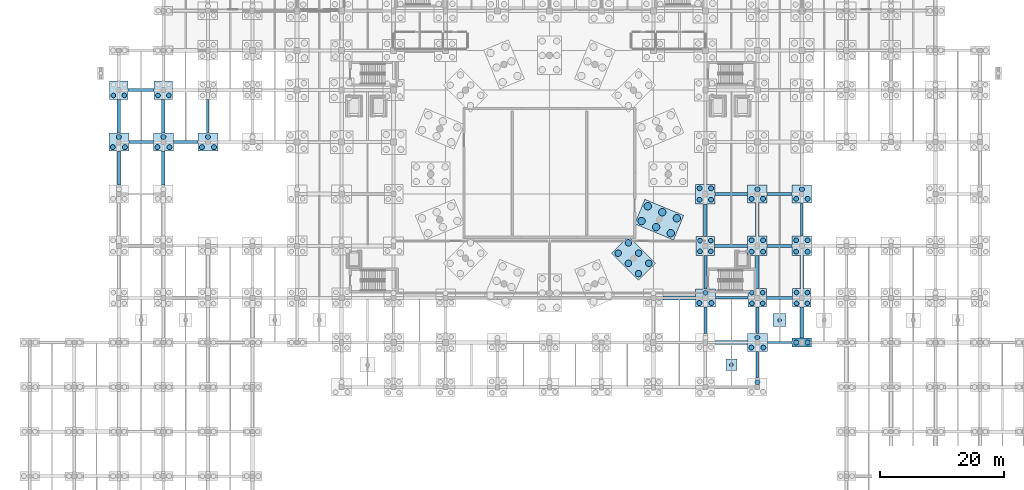
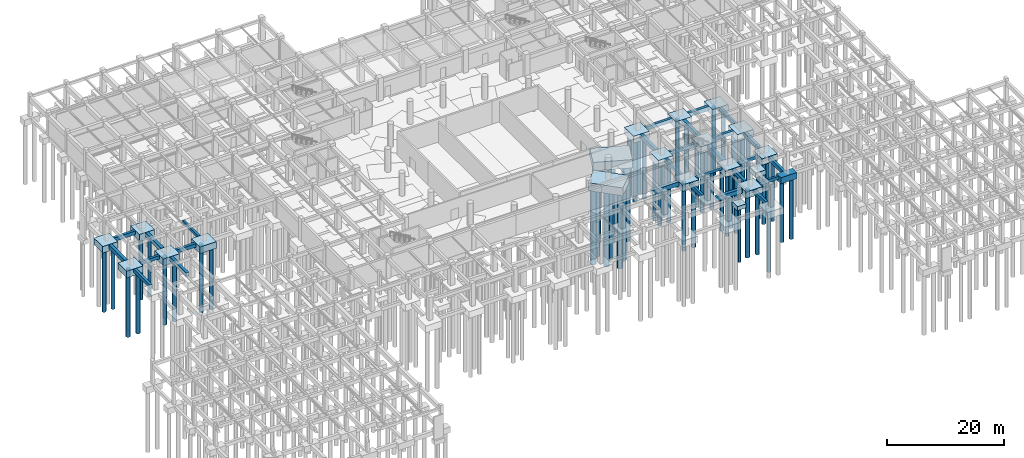
# One storey, part 5 of 44: 66 piles, 47 footings.
"""IFC4 building model written with IfcOpenShell, lengths in metres."""

from ifc_helpers import new_model, si_unit, direction, frame, origin, origin_2d, place, context, subcontext, project, spatial, rectangle, circle, extrude, material, material_profile, profile_set, type_object, element, save


model = new_model("IFC4")

# Units and contexts
model_context = context("Model", 3, precision=1e-05, world=origin(), true_north=direction((0.0, 1.0)))
body_context = subcontext(model_context, "Body", "Model", "MODEL_VIEW")
ifc_project = project(units=[si_unit("LENGTHUNIT", "METRE"), si_unit("AREAUNIT", "SQUARE_METRE"), si_unit("VOLUMEUNIT", "CUBIC_METRE"), si_unit("PLANEANGLEUNIT", "RADIAN"), si_unit("MASSUNIT", "GRAM", prefix="KILO")], contexts=[model_context])

# Site, building, storey
site_placement = place(None, origin())
site = spatial("IfcSite", under=ifc_project, at=site_placement, CompositionType="ELEMENT")
building_placement = place(site_placement, origin())
building = spatial("IfcBuilding", under=site, at=building_placement, Name="Korsvaeld Concert Hall", CompositionType="ELEMENT")
storey_placement = place(building_placement, frame((0.0, 0.0, -4.800048828125)))
storey = spatial("IfcBuildingStorey", under=building, at=storey_placement, Name="B1", CompositionType="ELEMENT", Elevation=-4.800048828125)

# Footings
ifc_material_1 = material(Name="Concrete C35/45", Category="concrete")
ifc_material_profile_1 = material_profile(ifc_material_1, rectangle(XDim=0.39990234375, YDim=0.60009765625, at=origin_2d()), Name="GTB 400x600")
ifc_profile_set_1 = profile_set([ifc_material_profile_1], Name="Concrete C35/45")
footing_type_1 = type_object("IfcFootingType", Name="GTB-400x600", PredefinedType="FOOTING_BEAM", material=ifc_profile_set_1)
footing_1_placement = place(storey_placement, frame((119.22509765625, 36.0, -0.300048828125), z_axis=(1.0, 0.0, 0.0), x_axis=(0.0, 1.0, 0.0)))
element("IfcFooting", 1, at=footing_1_placement, inside=storey, type_object=footing_type_1, Name="Ground tie beam 16-17/F", PredefinedType="FOOTING_BEAM", context=body_context, shape_type="SweptSolid", body=[
    extrude(rectangle(XDim=0.39990234375, YDim=0.60009765625, at=origin_2d()), origin(), (0.0, 0.0, 1.0), 4.0),
])
footing_2_placement = place(storey_placement, frame((110.824951171875, 43.199951171875, -0.300048828125), z_axis=(1.0, 0.0, 0.0), x_axis=(0.0, 1.0, 0.0)))
element("IfcFooting", 2, at=footing_2_placement, inside=storey, type_object=footing_type_1, Name="Ground tie beam 15-16/G", PredefinedType="FOOTING_BEAM", context=body_context, shape_type="SweptSolid", body=[
    extrude(rectangle(XDim=0.39990234375, YDim=0.60009765625, at=origin_2d()), origin(), (0.0, 0.0, 1.0), 5.275146484375),
])
footing_3_placement = place(storey_placement, frame((28.800048828125, 69.875, -0.300048828125), z_axis=(0.0, 1.0, 0.0), x_axis=(-1.0, 0.0, 0.0)))
element("IfcFooting", 3, at=footing_3_placement, inside=storey, type_object=footing_type_1, Name="Ground tie beam 5/K-L", PredefinedType="FOOTING_BEAM", context=body_context, shape_type="SweptSolid", body=[
    extrude(rectangle(XDim=0.39990234375, YDim=0.60009765625, at=origin_2d()), origin(), (0.0, 0.0, 1.0), 5.425048828125),
])
footing_4_placement = place(storey_placement, frame((124.800048828125, 53.175048828125, -0.300048828125), z_axis=(0.0, 1.0, 0.0), x_axis=(-1.0, 0.0, 0.0)))
element("IfcFooting", 4, at=footing_4_placement, inside=storey, type_object=footing_type_1, Name="Ground tie beam 17/H-J", PredefinedType="FOOTING_BEAM", context=body_context, shape_type="SweptSolid", body=[
    extrude(rectangle(XDim=0.39990234375, YDim=0.60009765625, at=origin_2d()), origin(), (0.0, 0.0, 1.0), 5.39990234375),
])
ifc_material_profile_2 = material_profile(ifc_material_1, rectangle(XDim=0.449951171875, YDim=0.699951171875, at=origin_2d()), Name="GTB 450x700")
ifc_profile_set_2 = profile_set([ifc_material_profile_2], Name="Concrete C35/45")
footing_type_2 = type_object("IfcFootingType", Name="GTB-450x700", PredefinedType="FOOTING_BEAM", material=ifc_profile_set_2)
footing_5_placement = place(storey_placement, frame((119.10009765625, 43.199951171875, -0.349853515625), z_axis=(1.0, 0.0, 0.0), x_axis=(0.0, 1.0, 0.0)))
element("IfcFooting", 5, at=footing_5_placement, inside=storey, type_object=footing_type_2, Name="Ground tie beam 16-17/G", PredefinedType="FOOTING_BEAM", context=body_context, shape_type="SweptSolid", body=[
    extrude(rectangle(XDim=0.449951171875, YDim=0.699951171875, at=origin_2d()), origin(), (0.0, 0.0, 1.0), 4.199951171875),
])
footing_6_placement = place(storey_placement, frame((110.699951171875, 51.60009765625, -0.349853515625), z_axis=(1.0, 0.0, 0.0), x_axis=(0.0, 1.0, 0.0)))
element("IfcFooting", 6, at=footing_6_placement, inside=storey, type_object=footing_type_2, Name="Ground tie beam 15-16/H", PredefinedType="FOOTING_BEAM", context=body_context, shape_type="SweptSolid", body=[
    extrude(rectangle(XDim=0.449951171875, YDim=0.699951171875, at=origin_2d()), origin(), (0.0, 0.0, 1.0), 5.324951171875),
])
footing_7_placement = place(storey_placement, frame((16.02490234375, 68.39990234375, -0.349853515625), z_axis=(1.0, 0.0, 0.0), x_axis=(0.0, 1.0, 0.0)))
element("IfcFooting", 7, at=footing_7_placement, inside=storey, type_object=footing_type_2, Name="Ground tie beam 3-4/K", PredefinedType="FOOTING_BEAM", context=body_context, shape_type="SweptSolid", body=[
    extrude(rectangle(XDim=0.449951171875, YDim=0.699951171875, at=origin_2d()), origin(), (0.0, 0.0, 1.0), 3.9501953125),
])
footing_8_placement = place(storey_placement, frame((109.199951171875, 37.425048828125, -0.349853515625), z_axis=(0.0, 1.0, 0.0), x_axis=(-1.0, 0.0, 0.0)))
element("IfcFooting", 8, at=footing_8_placement, inside=storey, type_object=footing_type_2, Name="Ground tie beam 15/F-G", PredefinedType="FOOTING_BEAM", context=body_context, shape_type="SweptSolid", body=[
    extrude(rectangle(XDim=0.449951171875, YDim=0.699951171875, at=origin_2d()), origin(), (0.0, 0.0, 1.0), 4.300048828125),
])
footing_9_placement = place(storey_placement, frame((117.60009765625, 30.22509765625, -0.349853515625), z_axis=(0.0, 1.0, 0.0), x_axis=(-1.0, 0.0, 0.0)))
element("IfcFooting", 9, at=footing_9_placement, inside=storey, type_object=footing_type_2, Name="Ground tie beam 16/E-F", PredefinedType="FOOTING_BEAM", context=body_context, shape_type="SweptSolid", body=[
    extrude(rectangle(XDim=0.449951171875, YDim=0.699951171875, at=origin_2d()), origin(), (0.0, 0.0, 1.0), 4.2998046875),
])
ifc_material_profile_3 = material_profile(ifc_material_1, rectangle(XDim=0.5, YDim=0.75, at=origin_2d()), Name="GTB 500x750")
ifc_profile_set_3 = profile_set([ifc_material_profile_3], Name="Concrete C35/45")
footing_type_3 = type_object("IfcFootingType", Name="GTB-500x750", PredefinedType="FOOTING_BEAM", material=ifc_profile_set_3)
footing_10_placement = place(storey_placement, frame((119.175048828125, 51.60009765625, -0.375), z_axis=(1.0, 0.0, 0.0), x_axis=(0.0, 1.0, 0.0)))
element("IfcFooting", 10, at=footing_10_placement, inside=storey, type_object=footing_type_3, Name="Ground tie beam 16-17/H", PredefinedType="FOOTING_BEAM", context=body_context, shape_type="SweptSolid", body=[
    extrude(rectangle(XDim=0.5, YDim=0.75, at=origin_2d()), origin(), (0.0, 0.0, 1.0), 4.050048828125),
])
footing_11_placement = place(storey_placement, frame((110.77490234375, 60.0, -0.375), z_axis=(1.0, 0.0, 0.0), x_axis=(0.0, 1.0, 0.0)))
element("IfcFooting", 11, at=footing_11_placement, inside=storey, type_object=footing_type_3, Name="Ground tie beam 15-16/J", PredefinedType="FOOTING_BEAM", context=body_context, shape_type="SweptSolid", body=[
    extrude(rectangle(XDim=0.5, YDim=0.75, at=origin_2d()), origin(), (0.0, 0.0, 1.0), 5.25),
])
footing_12_placement = place(storey_placement, frame((23.22509765625, 68.39990234375, -0.375), z_axis=(1.0, 0.0, 0.0), x_axis=(0.0, 1.0, 0.0)))
element("IfcFooting", 12, at=footing_12_placement, inside=storey, type_object=footing_type_3, Name="Ground tie beam 4-5/K", PredefinedType="FOOTING_BEAM", context=body_context, shape_type="SweptSolid", body=[
    extrude(rectangle(XDim=0.5, YDim=0.75, at=origin_2d()), origin(), (0.0, 0.0, 1.0), 3.949951171875),
])
footing_13_placement = place(storey_placement, frame((15.89990234375, 76.800048828125, -0.375), z_axis=(1.0, 0.0, 0.0), x_axis=(0.0, 1.0, 0.0)))
element("IfcFooting", 13, at=footing_13_placement, inside=storey, type_object=footing_type_3, Name="Ground tie beam 3-4/L", PredefinedType="FOOTING_BEAM", context=body_context, shape_type="SweptSolid", body=[
    extrude(rectangle(XDim=0.5, YDim=0.75, at=origin_2d()), origin(), (0.0, 0.0, 1.0), 4.2001953125),
])
footing_14_placement = place(storey_placement, frame((14.39990234375, 61.425048828125, -0.375), z_axis=(0.0, 1.0, 0.0), x_axis=(-1.0, 0.0, 0.0)))
element("IfcFooting", 14, at=footing_14_placement, inside=storey, type_object=footing_type_3, Name="Ground tie beam 3/J-K", PredefinedType="FOOTING_BEAM", context=body_context, shape_type="SweptSolid", body=[
    extrude(rectangle(XDim=0.5, YDim=0.75, at=origin_2d()), origin(), (0.0, 0.0, 1.0), 5.5),
])
footing_15_placement = place(storey_placement, frame((109.199951171875, 44.675048828125, -0.375), z_axis=(0.0, 1.0, 0.0), x_axis=(-1.0, 0.0, 0.0)))
element("IfcFooting", 15, at=footing_15_placement, inside=storey, type_object=footing_type_3, Name="Ground tie beam 15/G-H", PredefinedType="FOOTING_BEAM", context=body_context, shape_type="SweptSolid", body=[
    extrude(rectangle(XDim=0.5, YDim=0.75, at=origin_2d()), origin(), (0.0, 0.0, 1.0), 5.425048828125),
])
footing_16_placement = place(storey_placement, frame((117.60009765625, 37.47509765625, -0.375), z_axis=(0.0, 1.0, 0.0), x_axis=(-1.0, 0.0, 0.0)))
element("IfcFooting", 16, at=footing_16_placement, inside=storey, type_object=footing_type_3, Name="Ground tie beam 16/F-G", PredefinedType="FOOTING_BEAM", context=body_context, shape_type="SweptSolid", body=[
    extrude(rectangle(XDim=0.5, YDim=0.75, at=origin_2d()), origin(), (0.0, 0.0, 1.0), 4.224853515625),
])
ifc_material_profile_4 = material_profile(ifc_material_1, rectangle(XDim=0.550048828125, YDim=0.85009765625, at=origin_2d()), Name="GTB 550x850")
ifc_profile_set_4 = profile_set([ifc_material_profile_4], Name="Concrete C35/45")
footing_type_4 = type_object("IfcFootingType", Name="GTB-550x850", PredefinedType="FOOTING_BEAM", material=ifc_profile_set_4)
footing_17_placement = place(storey_placement, frame((119.175048828125, 60.0, -0.425048828125), z_axis=(1.0, 0.0, 0.0), x_axis=(0.0, 1.0, 0.0)))
element("IfcFooting", 17, at=footing_17_placement, inside=storey, type_object=footing_type_4, Name="Ground tie beam 16-17/J", PredefinedType="FOOTING_BEAM", context=body_context, shape_type="SweptSolid", body=[
    extrude(rectangle(XDim=0.550048828125, YDim=0.85009765625, at=origin_2d()), origin(), (0.0, 0.0, 1.0), 4.050048828125),
])
footing_18_placement = place(storey_placement, frame((14.39990234375, 69.875, -0.425048828125), z_axis=(0.0, 1.0, 0.0), x_axis=(-1.0, 0.0, 0.0)))
element("IfcFooting", 18, at=footing_18_placement, inside=storey, type_object=footing_type_4, Name="Ground tie beam 3/K-L", PredefinedType="FOOTING_BEAM", context=body_context, shape_type="SweptSolid", body=[
    extrude(rectangle(XDim=0.550048828125, YDim=0.85009765625, at=origin_2d()), origin(), (0.0, 0.0, 1.0), 5.425048828125),
])
footing_19_placement = place(storey_placement, frame((21.60009765625, 61.425048828125, -0.425048828125), z_axis=(0.0, 1.0, 0.0), x_axis=(-1.0, 0.0, 0.0)))
element("IfcFooting", 19, at=footing_19_placement, inside=storey, type_object=footing_type_4, Name="Ground tie beam 4/J-K", PredefinedType="FOOTING_BEAM", context=body_context, shape_type="SweptSolid", body=[
    extrude(rectangle(XDim=0.550048828125, YDim=0.85009765625, at=origin_2d()), origin(), (0.0, 0.0, 1.0), 5.5),
])
for number, where, z_axis, x_axis, name in (
    (20, (109.199951171875, 53.10009765625, -0.425048828125), (0.0, 1.0, 0.0), (-1.0, 0.0, 0.0), "Ground tie beam 15/H-J"),
    (21, (117.60009765625, 44.699951171875, -0.425048828125), (0.0, 1.0, 0.0), (-1.0, 0.0, 0.0), "Ground tie beam 16/G-H"),
):
    element("IfcFooting", number, at=place(storey_placement, frame(where, z_axis=z_axis, x_axis=x_axis)), inside=storey, type_object=footing_type_4, Name=name, PredefinedType="FOOTING_BEAM", context=body_context, shape_type="SweptSolid", body=[
        extrude(rectangle(XDim=0.550048828125, YDim=0.85009765625, at=origin_2d()), origin(), (0.0, 0.0, 1.0), 5.324951171875),
    ])
footing_20_placement = place(storey_placement, frame((124.800048828125, 36.75, -0.425048828125), z_axis=(0.0, 1.0, 0.0), x_axis=(-1.0, 0.0, 0.0)))
element("IfcFooting", 22, at=footing_20_placement, inside=storey, type_object=footing_type_4, Name="Ground tie beam 17/F-G", PredefinedType="FOOTING_BEAM", context=body_context, shape_type="SweptSolid", body=[
    extrude(rectangle(XDim=0.550048828125, YDim=0.85009765625, at=origin_2d()), origin(), (0.0, 0.0, 1.0), 4.949951171875),
])
ifc_material_profile_5 = material_profile(ifc_material_1, rectangle(XDim=0.60009765625, YDim=0.89990234375, at=origin_2d()), Name="GTB 600x900")
ifc_profile_set_5 = profile_set([ifc_material_profile_5], Name="Concrete C35/45")
footing_type_5 = type_object("IfcFootingType", Name="GTB-600x900", PredefinedType="FOOTING_BEAM", material=ifc_profile_set_5)
footing_21_placement = place(storey_placement, frame((110.77490234375, 36.0, -0.449951171875), z_axis=(1.0, 0.0, 0.0), x_axis=(0.0, 1.0, 0.0)))
element("IfcFooting", 23, at=footing_21_placement, inside=storey, type_object=footing_type_5, Name="Ground tie beam 15-16/F", PredefinedType="FOOTING_BEAM", context=body_context, shape_type="SweptSolid", body=[
    extrude(rectangle(XDim=0.60009765625, YDim=0.89990234375, at=origin_2d()), origin(), (0.0, 0.0, 1.0), 5.2001953125),
])
footing_22_placement = place(storey_placement, frame((102.375, 43.199951171875, -0.449951171875), z_axis=(1.0, 0.0, 0.0), x_axis=(0.0, 1.0, 0.0)))
element("IfcFooting", 24, at=footing_22_placement, inside=storey, type_object=footing_type_5, Name="Ground tie beam 14-15/G", PredefinedType="FOOTING_BEAM", context=body_context, shape_type="SweptSolid", body=[
    extrude(rectangle(XDim=0.60009765625, YDim=0.89990234375, at=origin_2d()), origin(), (0.0, 0.0, 1.0), 5.199951171875),
])
footing_23_placement = place(storey_placement, frame((21.60009765625, 69.875, -0.449951171875), z_axis=(0.0, 1.0, 0.0), x_axis=(-1.0, 0.0, 0.0)))
element("IfcFooting", 25, at=footing_23_placement, inside=storey, type_object=footing_type_5, Name="Ground tie beam 4/K-L", PredefinedType="FOOTING_BEAM", context=body_context, shape_type="SweptSolid", body=[
    extrude(rectangle(XDim=0.60009765625, YDim=0.89990234375, at=origin_2d()), origin(), (0.0, 0.0, 1.0), 5.425048828125),
])
footing_24_placement = place(storey_placement, frame((117.60009765625, 53.175048828125, -0.449951171875), z_axis=(0.0, 1.0, 0.0), x_axis=(-1.0, 0.0, 0.0)))
element("IfcFooting", 26, at=footing_24_placement, inside=storey, type_object=footing_type_5, Name="Ground tie beam 16/H-J", PredefinedType="FOOTING_BEAM", context=body_context, shape_type="SweptSolid", body=[
    extrude(rectangle(XDim=0.60009765625, YDim=0.89990234375, at=origin_2d()), origin(), (0.0, 0.0, 1.0), 5.39990234375),
])
footing_25_placement = place(storey_placement, frame((124.800048828125, 44.699951171875, -0.449951171875), z_axis=(0.0, 1.0, 0.0), x_axis=(-1.0, 0.0, 0.0)))
element("IfcFooting", 27, at=footing_25_placement, inside=storey, type_object=footing_type_5, Name="Ground tie beam 17/G-H", PredefinedType="FOOTING_BEAM", context=body_context, shape_type="SweptSolid", body=[
    extrude(rectangle(XDim=0.60009765625, YDim=0.89990234375, at=origin_2d()), origin(), (0.0, 0.0, 1.0), 5.324951171875),
])
footing_type_6 = type_object("IfcFootingType", Name="PC-2P-280x150x130", PredefinedType="PILE_CAP", material=ifc_material_1)
footing_26_placement = place(storey_placement, frame((124.800048828125, 36.0, -1.2998046875), z_axis=(0.0, 0.0, 1.0), x_axis=(1.0, 0.0, 0.0)))
element("IfcFooting", 28, at=footing_26_placement, inside=storey, type_object=footing_type_6, Name="Pile cap 17/F", PredefinedType="PILE_CAP", context=body_context, shape_type="SweptSolid", body=[
    extrude(rectangle(XDim=3.14990234375, YDim=1.5, at=origin_2d()), origin(), (0.0, 0.0, 1.0), 1.300048828125),
])
footing_type_7 = type_object("IfcFootingType", Name="PC-3P-290x260x135", PredefinedType="PILE_CAP", material=ifc_material_1)
for number, where, z_axis, x_axis, name in (
    (29, (117.60009765625, 60.0, -1.35009765625), (0.0, 0.0, 1.0), (1.0, 0.0, 0.0), "Pile cap 16/J"),
    (30, (124.800048828125, 60.0, -1.35009765625), (0.0, 0.0, 1.0), (1.0, 0.0, 0.0), "Pile cap 17/J"),
):
    element("IfcFooting", number, at=place(storey_placement, frame(where, z_axis=z_axis, x_axis=x_axis)), inside=storey, type_object=footing_type_7, Name=name, PredefinedType="PILE_CAP", context=body_context, shape_type="SweptSolid", body=[
        extrude(rectangle(XDim=3.14990234375, YDim=2.85009765625, at=origin_2d()), origin(), (0.0, 0.0, 1.0), 1.35009765625),
    ])
footing_type_8 = type_object("IfcFootingType", Name="PC-3P-310x280x140", PredefinedType="PILE_CAP", material=ifc_material_1)
for number, where, z_axis, x_axis, name in (
    (31, (109.199951171875, 43.199951171875, -1.39990234375), (0.0, 0.0, 1.0), (1.0, 0.0, 0.0), "Pile cap 15/G"),
    (32, (117.60009765625, 36.0, -1.39990234375), (0.0, 0.0, 1.0), (1.0, 0.0, 0.0), "Pile cap 16/F"),
    (33, (14.39990234375, 68.39990234375, -1.39990234375), (0.0, 0.0, 1.0), (1.0, 0.0, 0.0), "Pile cap 3/K"),
    (34, (21.60009765625, 68.39990234375, -1.39990234375), (0.0, 0.0, 1.0), (1.0, 0.0, 0.0), "Pile cap 4/K"),
    (35, (28.800048828125, 68.39990234375, -1.39990234375), (0.0, 0.0, 1.0), (1.0, 0.0, 0.0), "Pile cap 5/K"),
):
    element("IfcFooting", number, at=place(storey_placement, frame(where, z_axis=z_axis, x_axis=x_axis)), inside=storey, type_object=footing_type_8, Name=name, PredefinedType="PILE_CAP", context=body_context, shape_type="SweptSolid", body=[
        extrude(rectangle(XDim=3.25, YDim=2.949951171875, at=origin_2d()), origin(), (0.0, 0.0, 1.0), 1.39990234375),
    ])
footing_type_9 = type_object("IfcFootingType", Name="PC-4P-280x280x135", PredefinedType="PILE_CAP", material=ifc_material_1)
for number, where, z_axis, x_axis, name in (
    (36, (109.199951171875, 51.60009765625, -1.35009765625), (0.0, 0.0, 1.0), (1.0, 0.0, 0.0), "Pile cap 15/H"),
    (37, (117.60009765625, 43.199951171875, -1.35009765625), (0.0, 0.0, 1.0), (1.0, 0.0, 0.0), "Pile cap 16/G"),
    (38, (124.800048828125, 43.199951171875, -1.35009765625), (0.0, 0.0, 1.0), (1.0, 0.0, 0.0), "Pile cap 17/G"),
    (39, (14.39990234375, 76.800048828125, -1.35009765625), (0.0, 0.0, 1.0), (1.0, 0.0, 0.0), "Pile cap 3/L"),
    (40, (21.60009765625, 76.800048828125, -1.35009765625), (0.0, 0.0, 1.0), (1.0, 0.0, 0.0), "Pile cap 4/L"),
):
    element("IfcFooting", number, at=place(storey_placement, frame(where, z_axis=z_axis, x_axis=x_axis)), inside=storey, type_object=footing_type_9, Name=name, PredefinedType="PILE_CAP", context=body_context, shape_type="SweptSolid", body=[
        extrude(rectangle(XDim=3.0, YDim=3.0, at=origin_2d()), origin(), (0.0, 0.0, 1.0), 1.35009765625),
    ])
footing_type_10 = type_object("IfcFootingType", Name="PC-4P-300x300x140", PredefinedType="PILE_CAP", material=ifc_material_1)
for number, where, z_axis, x_axis, name in (
    (41, (109.199951171875, 60.0, -1.39990234375), (0.0, 0.0, 1.0), (1.0, 0.0, 0.0), "Pile cap 15/J"),
    (42, (117.60009765625, 51.60009765625, -1.39990234375), (0.0, 0.0, 1.0), (1.0, 0.0, 0.0), "Pile cap 16/H"),
    (43, (124.800048828125, 51.60009765625, -1.39990234375), (0.0, 0.0, 1.0), (1.0, 0.0, 0.0), "Pile cap 17/H"),
):
    element("IfcFooting", number, at=place(storey_placement, frame(where, z_axis=z_axis, x_axis=x_axis)), inside=storey, type_object=footing_type_10, Name=name, PredefinedType="PILE_CAP", context=body_context, shape_type="SweptSolid", body=[
        extrude(rectangle(XDim=3.14990234375, YDim=3.14990234375, at=origin_2d()), origin(), (0.0, 0.0, 1.0), 1.39990234375),
    ])
footing_type_11 = type_object("IfcFootingType", Name="PC-6P-460x340x165", PredefinedType="PILE_CAP", material=ifc_material_1)
footing_27_placement = place(storey_placement, frame((97.576416015625, 49.62353515625, -1.64990234375), z_axis=(0.0, 0.0, 1.0), x_axis=(0.707106781187, -0.707106781187, 0.0)))
element("IfcFooting", 44, at=footing_27_placement, inside=storey, type_object=footing_type_11, Name="Drum pile cap D15", PredefinedType="PILE_CAP", context=body_context, shape_type="SweptSolid", body=[
    extrude(rectangle(XDim=6.199951171875, YDim=3.89990234375, at=origin_2d()), origin(), (0.0, 0.0, 1.0), 1.64990234375),
])
footing_type_12 = type_object("IfcFootingType", Name="PC-6P-500x360x175", PredefinedType="PILE_CAP", material=ifc_material_1)
footing_28_placement = place(storey_placement, frame((101.738525390625, 55.8525390625, -1.75), z_axis=(0.0, 0.0, 1.0), x_axis=(0.923879532511, -0.382683432365, 0.0)))
element("IfcFooting", 45, at=footing_28_placement, inside=storey, type_object=footing_type_12, Name="Drum pile cap D16", PredefinedType="PILE_CAP", context=body_context, shape_type="SweptSolid", body=[
    extrude(rectangle(XDim=6.800048828125, YDim=4.300048828125, at=origin_2d()), origin(), (0.0, 0.0, 1.0), 1.75),
])
footing_type_13 = type_object("IfcFootingType", Name="PF-PAD-180x180x85", PredefinedType="PAD_FOOTING", material=ifc_material_1)
footing_29_placement = place(storey_placement, frame((113.39990234375, 32.39990234375, -0.85009765625), z_axis=(0.0, 0.0, 1.0), x_axis=(1.0, 0.0, 0.0)))
element("IfcFooting", 46, at=footing_29_placement, inside=storey, type_object=footing_type_13, Name="Pilaster pad footing PLF-04", PredefinedType="PAD_FOOTING", context=body_context, shape_type="SweptSolid", body=[
    extrude(rectangle(XDim=1.800048828125, YDim=1.800048828125, at=origin_2d()), origin(), (0.0, 0.0, 1.0), 0.85009765625),
])
footing_type_14 = type_object("IfcFootingType", Name="PF-PAD-210x210x95", PredefinedType="PAD_FOOTING", material=ifc_material_1)
footing_30_placement = place(storey_placement, frame((121.199951171875, 39.60009765625, -0.94970703125), z_axis=(0.0, 0.0, 1.0), x_axis=(1.0, 0.0, 0.0)))
element("IfcFooting", 47, at=footing_30_placement, inside=storey, type_object=footing_type_14, Name="Pilaster pad footing PLF-05", PredefinedType="PAD_FOOTING", context=body_context, shape_type="SweptSolid", body=[
    extrude(rectangle(XDim=2.10009765625, YDim=2.10009765625, at=origin_2d()), origin(), (0.0, 0.0, 1.0), 0.949951171875),
])

# Piles
ifc_material_2 = material(Name="Concrete C40/50", Category="concrete")
ifc_material_profile_6 = material_profile(ifc_material_2, circle(Radius=0.52490234375, at=origin_2d()), Name="BORED PILE D1050")
ifc_profile_set_6 = profile_set([ifc_material_profile_6], Name="Concrete C40/50")
pile_type_1 = type_object("IfcPileType", Name="PILE-D1050", PredefinedType="BORED", material=ifc_profile_set_6)
for number, where, z_axis, x_axis, name in (
    (48, (95.1015625, 50.436767578125, -1.550048828125), (0.0, 0.0, -1.0), (1.0, 0.0, 0.0), "Drum bored pile D15-1"),
    (49, (96.74560546875, 48.79248046875, -1.550048828125), (0.0, 0.0, -1.0), (1.0, 0.0, 0.0), "Drum bored pile D15-2"),
    (50, (98.3896484375, 47.148681640625, -1.550048828125), (0.0, 0.0, -1.0), (1.0, 0.0, 0.0), "Drum bored pile D15-3"),
    (51, (96.76318359375, 52.098388671875, -1.550048828125), (0.0, 0.0, -1.0), (1.0, 0.0, 0.0), "Drum bored pile D15-4"),
    (52, (98.407470703125, 50.454345703125, -1.550048828125), (0.0, 0.0, -1.0), (1.0, 0.0, 0.0), "Drum bored pile D15-5"),
    (53, (100.051513671875, 48.810302734375, -1.550048828125), (0.0, 0.0, -1.0), (1.0, 0.0, 0.0), "Drum bored pile D15-6"),
):
    element("IfcPile", number, at=place(storey_placement, frame(where, z_axis=z_axis, x_axis=x_axis)), inside=storey, type_object=pile_type_1, Name=name, PredefinedType="BORED", context=body_context, shape_type="SweptSolid", body=[
        extrude(circle(Radius=0.52490234375, at=origin_2d()), origin(), (0.0, 0.0, 1.0), 15.60009765625),
    ])
ifc_material_profile_7 = material_profile(ifc_material_2, circle(Radius=0.60009765625, at=origin_2d()), Name="BORED PILE D1200")
ifc_profile_set_7 = profile_set([ifc_material_profile_7], Name="Concrete C40/50")
pile_type_2 = type_object("IfcPileType", Name="PILE-D1200", PredefinedType="BORED", material=ifc_profile_set_7)
for number, where, z_axis, x_axis, name in (
    (54, (98.885009765625, 55.627197265625, -1.64990234375), (0.0, 0.0, -1.0), (1.0, 0.0, 0.0), "Drum bored pile D16-1"),
    (55, (101.240966796875, 54.651611328125, -1.64990234375), (0.0, 0.0, -1.0), (1.0, 0.0, 0.0), "Drum bored pile D16-2"),
    (56, (103.596923828125, 53.675537109375, -1.64990234375), (0.0, 0.0, -1.0), (1.0, 0.0, 0.0), "Drum bored pile D16-3"),
    (57, (99.880126953125, 58.029296875, -1.64990234375), (0.0, 0.0, -1.0), (1.0, 0.0, 0.0), "Drum bored pile D16-4"),
    (58, (102.236083984375, 57.053466796875, -1.64990234375), (0.0, 0.0, -1.0), (1.0, 0.0, 0.0), "Drum bored pile D16-5"),
    (59, (104.591796875, 56.07763671875, -1.64990234375), (0.0, 0.0, -1.0), (1.0, 0.0, 0.0), "Drum bored pile D16-6"),
):
    element("IfcPile", number, at=place(storey_placement, frame(where, z_axis=z_axis, x_axis=x_axis)), inside=storey, type_object=pile_type_2, Name=name, PredefinedType="BORED", context=body_context, shape_type="SweptSolid", body=[
        extrude(circle(Radius=0.60009765625, at=origin_2d()), origin(), (0.0, 0.0, 1.0), 15.60009765625),
    ])
ifc_material_profile_8 = material_profile(ifc_material_1, circle(Radius=0.300048828125, at=origin_2d()), Name="BORED PILE D600")
ifc_profile_set_8 = profile_set([ifc_material_profile_8], Name="Concrete C35/45")
pile_type_3 = type_object("IfcPileType", Name="PILE-D600", PredefinedType="BORED", material=ifc_profile_set_8)
for number, where, z_axis, x_axis, name in (
    (60, (113.39990234375, 32.39990234375, -0.75), (0.0, 0.0, -1.0), (1.0, 0.0, 0.0), "Pilaster bored pile PLP-04"),
    (61, (121.199951171875, 39.60009765625, -0.849853515625), (0.0, 0.0, -1.0), (1.0, 0.0, 0.0), "Pilaster bored pile PLP-05"),
):
    element("IfcPile", number, at=place(storey_placement, frame(where, z_axis=z_axis, x_axis=x_axis)), inside=storey, type_object=pile_type_3, Name=name, PredefinedType="BORED", context=body_context, shape_type="SweptSolid", body=[
        extrude(circle(Radius=0.300048828125, at=origin_2d()), origin(), (0.0, 0.0, 1.0), 11.5),
    ])
ifc_material_profile_9 = material_profile(ifc_material_1, circle(Radius=0.375, at=origin_2d()), Name="BORED PILE D750")
ifc_profile_set_9 = profile_set([ifc_material_profile_9], Name="Concrete C35/45")
pile_type_4 = type_object("IfcPileType", Name="PILE-D750", PredefinedType="BORED", material=ifc_profile_set_9)
for number, where, z_axis, x_axis, name in (
    (62, (108.324951171875, 50.72509765625, -1.25), (0.0, 0.0, -1.0), (1.0, 0.0, 0.0), "Bored pile 15/H-1"),
    (63, (110.074951171875, 50.72509765625, -1.25), (0.0, 0.0, -1.0), (1.0, 0.0, 0.0), "Bored pile 15/H-2"),
    (64, (108.324951171875, 52.47509765625, -1.25), (0.0, 0.0, -1.0), (1.0, 0.0, 0.0), "Bored pile 15/H-3"),
    (65, (110.074951171875, 52.47509765625, -1.25), (0.0, 0.0, -1.0), (1.0, 0.0, 0.0), "Bored pile 15/H-4"),
    (66, (116.72509765625, 42.324951171875, -1.25), (0.0, 0.0, -1.0), (1.0, 0.0, 0.0), "Bored pile 16/G-1"),
    (67, (118.47509765625, 42.324951171875, -1.25), (0.0, 0.0, -1.0), (1.0, 0.0, 0.0), "Bored pile 16/G-2"),
    (68, (116.72509765625, 44.074951171875, -1.25), (0.0, 0.0, -1.0), (1.0, 0.0, 0.0), "Bored pile 16/G-3"),
    (69, (118.47509765625, 44.074951171875, -1.25), (0.0, 0.0, -1.0), (1.0, 0.0, 0.0), "Bored pile 16/G-4"),
    (70, (123.925048828125, 42.324951171875, -1.25), (0.0, 0.0, -1.0), (1.0, 0.0, 0.0), "Bored pile 17/G-1"),
    (71, (125.675048828125, 42.324951171875, -1.25), (0.0, 0.0, -1.0), (1.0, 0.0, 0.0), "Bored pile 17/G-2"),
    (72, (123.925048828125, 44.074951171875, -1.25), (0.0, 0.0, -1.0), (1.0, 0.0, 0.0), "Bored pile 17/G-3"),
    (73, (125.675048828125, 44.074951171875, -1.25), (0.0, 0.0, -1.0), (1.0, 0.0, 0.0), "Bored pile 17/G-4"),
    (74, (13.52490234375, 75.925048828125, -1.25), (0.0, 0.0, -1.0), (1.0, 0.0, 0.0), "Bored pile 3/L-1"),
    (75, (15.27490234375, 75.925048828125, -1.25), (0.0, 0.0, -1.0), (1.0, 0.0, 0.0), "Bored pile 3/L-2"),
    (76, (20.72509765625, 75.925048828125, -1.25), (0.0, 0.0, -1.0), (1.0, 0.0, 0.0), "Bored pile 4/L-1"),
    (77, (22.47509765625, 75.925048828125, -1.25), (0.0, 0.0, -1.0), (1.0, 0.0, 0.0), "Bored pile 4/L-2"),
):
    element("IfcPile", number, at=place(storey_placement, frame(where, z_axis=z_axis, x_axis=x_axis)), inside=storey, type_object=pile_type_4, Name=name, PredefinedType="BORED", context=body_context, shape_type="SweptSolid", body=[
        extrude(circle(Radius=0.375, at=origin_2d()), origin(), (0.0, 0.0, 1.0), 12.75),
    ])
ifc_material_profile_10 = material_profile(ifc_material_1, circle(Radius=0.39990234375, at=origin_2d()), Name="BORED PILE D800")
ifc_profile_set_10 = profile_set([ifc_material_profile_10], Name="Concrete C35/45")
pile_type_5 = type_object("IfcPileType", Name="PILE-D800", PredefinedType="BORED", material=ifc_profile_set_10)
for number, where, z_axis, x_axis, name in (
    (78, (108.22509765625, 42.375, -1.300048828125), (0.0, 0.0, -1.0), (1.0, 0.0, 0.0), "Bored pile 15/G-1"),
    (79, (110.175048828125, 42.375, -1.300048828125), (0.0, 0.0, -1.0), (1.0, 0.0, 0.0), "Bored pile 15/G-2"),
    (80, (109.199951171875, 44.02490234375, -1.300048828125), (0.0, 0.0, -1.0), (1.0, 0.0, 0.0), "Bored pile 15/G-3"),
    (81, (108.27490234375, 59.074951171875, -1.300048828125), (0.0, 0.0, -1.0), (1.0, 0.0, 0.0), "Bored pile 15/J-1"),
    (82, (110.125, 59.074951171875, -1.300048828125), (0.0, 0.0, -1.0), (1.0, 0.0, 0.0), "Bored pile 15/J-2"),
    (83, (108.27490234375, 60.925048828125, -1.300048828125), (0.0, 0.0, -1.0), (1.0, 0.0, 0.0), "Bored pile 15/J-3"),
    (84, (110.125, 60.925048828125, -1.300048828125), (0.0, 0.0, -1.0), (1.0, 0.0, 0.0), "Bored pile 15/J-4"),
):
    element("IfcPile", number, at=place(storey_placement, frame(where, z_axis=z_axis, x_axis=x_axis)), inside=storey, type_object=pile_type_5, Name=name, PredefinedType="BORED", context=body_context, shape_type="SweptSolid", body=[
        extrude(circle(Radius=0.39990234375, at=origin_2d()), origin(), (0.0, 0.0, 1.0), 12.800048828125),
    ])
pile_placement = place(storey_placement, frame((117.60009765625, 29.574951171875, -1.25), z_axis=(0.0, 0.0, -1.0), x_axis=(1.0, 0.0, 0.0)))
element("IfcPile", 85, at=pile_placement, inside=storey, type_object=pile_type_5, Name="Bored pile 16/E-3", PredefinedType="BORED", context=body_context, shape_type="SweptSolid", body=[
    extrude(circle(Radius=0.39990234375, at=origin_2d()), origin(), (0.0, 0.0, 1.0), 12.75),
])
for number, where, z_axis, x_axis, name in (
    (86, (116.625, 35.175048828125, -1.300048828125), (0.0, 0.0, -1.0), (1.0, 0.0, 0.0), "Bored pile 16/F-1"),
    (87, (118.574951171875, 35.175048828125, -1.300048828125), (0.0, 0.0, -1.0), (1.0, 0.0, 0.0), "Bored pile 16/F-2"),
    (88, (117.60009765625, 36.824951171875, -1.300048828125), (0.0, 0.0, -1.0), (1.0, 0.0, 0.0), "Bored pile 16/F-3"),
    (89, (116.675048828125, 50.675048828125, -1.300048828125), (0.0, 0.0, -1.0), (1.0, 0.0, 0.0), "Bored pile 16/H-1"),
    (90, (118.52490234375, 50.675048828125, -1.300048828125), (0.0, 0.0, -1.0), (1.0, 0.0, 0.0), "Bored pile 16/H-2"),
    (91, (116.675048828125, 52.52490234375, -1.300048828125), (0.0, 0.0, -1.0), (1.0, 0.0, 0.0), "Bored pile 16/H-3"),
    (92, (118.52490234375, 52.52490234375, -1.300048828125), (0.0, 0.0, -1.0), (1.0, 0.0, 0.0), "Bored pile 16/H-4"),
):
    element("IfcPile", number, at=place(storey_placement, frame(where, z_axis=z_axis, x_axis=x_axis)), inside=storey, type_object=pile_type_5, Name=name, PredefinedType="BORED", context=body_context, shape_type="SweptSolid", body=[
        extrude(circle(Radius=0.39990234375, at=origin_2d()), origin(), (0.0, 0.0, 1.0), 12.800048828125),
    ])
for number, where, z_axis, x_axis, name in (
    (93, (116.675048828125, 59.22509765625, -1.25), (0.0, 0.0, -1.0), (1.0, 0.0, 0.0), "Bored pile 16/J-1"),
    (94, (118.52490234375, 59.22509765625, -1.25), (0.0, 0.0, -1.0), (1.0, 0.0, 0.0), "Bored pile 16/J-2"),
    (95, (117.60009765625, 60.77490234375, -1.25), (0.0, 0.0, -1.0), (1.0, 0.0, 0.0), "Bored pile 16/J-3"),
):
    element("IfcPile", number, at=place(storey_placement, frame(where, z_axis=z_axis, x_axis=x_axis)), inside=storey, type_object=pile_type_5, Name=name, PredefinedType="BORED", context=body_context, shape_type="SweptSolid", body=[
        extrude(circle(Radius=0.39990234375, at=origin_2d()), origin(), (0.0, 0.0, 1.0), 12.75),
    ])
for number, where, z_axis, x_axis, name in (
    (96, (123.875, 36.0, -1.199951171875), (0.0, 0.0, -1.0), (1.0, 0.0, 0.0), "Bored pile 17/F-1"),
    (97, (125.72509765625, 36.0, -1.199951171875), (0.0, 0.0, -1.0), (1.0, 0.0, 0.0), "Bored pile 17/F-2"),
):
    element("IfcPile", number, at=place(storey_placement, frame(where, z_axis=z_axis, x_axis=x_axis)), inside=storey, type_object=pile_type_5, Name=name, PredefinedType="BORED", context=body_context, shape_type="SweptSolid", body=[
        extrude(circle(Radius=0.39990234375, at=origin_2d()), origin(), (0.0, 0.0, 1.0), 12.699951171875),
    ])
for number, where, z_axis, x_axis, name in (
    (98, (123.875, 50.675048828125, -1.300048828125), (0.0, 0.0, -1.0), (1.0, 0.0, 0.0), "Bored pile 17/H-1"),
    (99, (125.72509765625, 50.675048828125, -1.300048828125), (0.0, 0.0, -1.0), (1.0, 0.0, 0.0), "Bored pile 17/H-2"),
    (100, (123.875, 52.52490234375, -1.300048828125), (0.0, 0.0, -1.0), (1.0, 0.0, 0.0), "Bored pile 17/H-3"),
    (101, (125.72509765625, 52.52490234375, -1.300048828125), (0.0, 0.0, -1.0), (1.0, 0.0, 0.0), "Bored pile 17/H-4"),
):
    element("IfcPile", number, at=place(storey_placement, frame(where, z_axis=z_axis, x_axis=x_axis)), inside=storey, type_object=pile_type_5, Name=name, PredefinedType="BORED", context=body_context, shape_type="SweptSolid", body=[
        extrude(circle(Radius=0.39990234375, at=origin_2d()), origin(), (0.0, 0.0, 1.0), 12.800048828125),
    ])
for number, where, z_axis, x_axis, name in (
    (102, (123.875, 59.22509765625, -1.25), (0.0, 0.0, -1.0), (1.0, 0.0, 0.0), "Bored pile 17/J-1"),
    (103, (125.72509765625, 59.22509765625, -1.25), (0.0, 0.0, -1.0), (1.0, 0.0, 0.0), "Bored pile 17/J-2"),
    (104, (124.800048828125, 60.77490234375, -1.25), (0.0, 0.0, -1.0), (1.0, 0.0, 0.0), "Bored pile 17/J-3"),
):
    element("IfcPile", number, at=place(storey_placement, frame(where, z_axis=z_axis, x_axis=x_axis)), inside=storey, type_object=pile_type_5, Name=name, PredefinedType="BORED", context=body_context, shape_type="SweptSolid", body=[
        extrude(circle(Radius=0.39990234375, at=origin_2d()), origin(), (0.0, 0.0, 1.0), 12.75),
    ])
for number, where, z_axis, x_axis, name in (
    (105, (13.425048828125, 67.574951171875, -1.300048828125), (0.0, 0.0, -1.0), (1.0, 0.0, 0.0), "Bored pile 3/K-1"),
    (106, (15.375, 67.574951171875, -1.300048828125), (0.0, 0.0, -1.0), (1.0, 0.0, 0.0), "Bored pile 3/K-2"),
    (107, (14.39990234375, 69.22509765625, -1.300048828125), (0.0, 0.0, -1.0), (1.0, 0.0, 0.0), "Bored pile 3/K-3"),
    (108, (20.625, 67.574951171875, -1.300048828125), (0.0, 0.0, -1.0), (1.0, 0.0, 0.0), "Bored pile 4/K-1"),
    (109, (22.574951171875, 67.574951171875, -1.300048828125), (0.0, 0.0, -1.0), (1.0, 0.0, 0.0), "Bored pile 4/K-2"),
    (110, (21.60009765625, 69.22509765625, -1.300048828125), (0.0, 0.0, -1.0), (1.0, 0.0, 0.0), "Bored pile 4/K-3"),
    (111, (27.824951171875, 67.574951171875, -1.300048828125), (0.0, 0.0, -1.0), (1.0, 0.0, 0.0), "Bored pile 5/K-1"),
    (112, (29.77490234375, 67.574951171875, -1.300048828125), (0.0, 0.0, -1.0), (1.0, 0.0, 0.0), "Bored pile 5/K-2"),
    (113, (28.800048828125, 69.22509765625, -1.300048828125), (0.0, 0.0, -1.0), (1.0, 0.0, 0.0), "Bored pile 5/K-3"),
):
    element("IfcPile", number, at=place(storey_placement, frame(where, z_axis=z_axis, x_axis=x_axis)), inside=storey, type_object=pile_type_5, Name=name, PredefinedType="BORED", context=body_context, shape_type="SweptSolid", body=[
        extrude(circle(Radius=0.39990234375, at=origin_2d()), origin(), (0.0, 0.0, 1.0), 12.800048828125),
    ])

save(model, "model.ifc")
